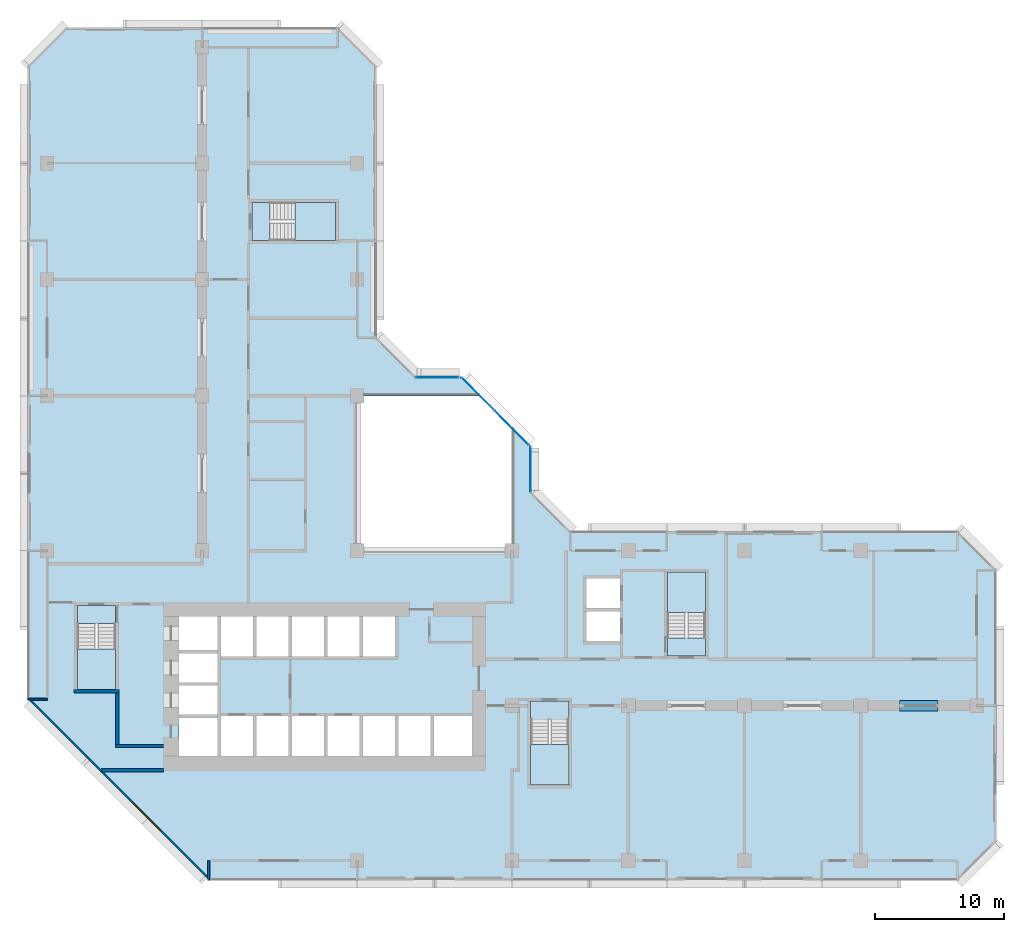
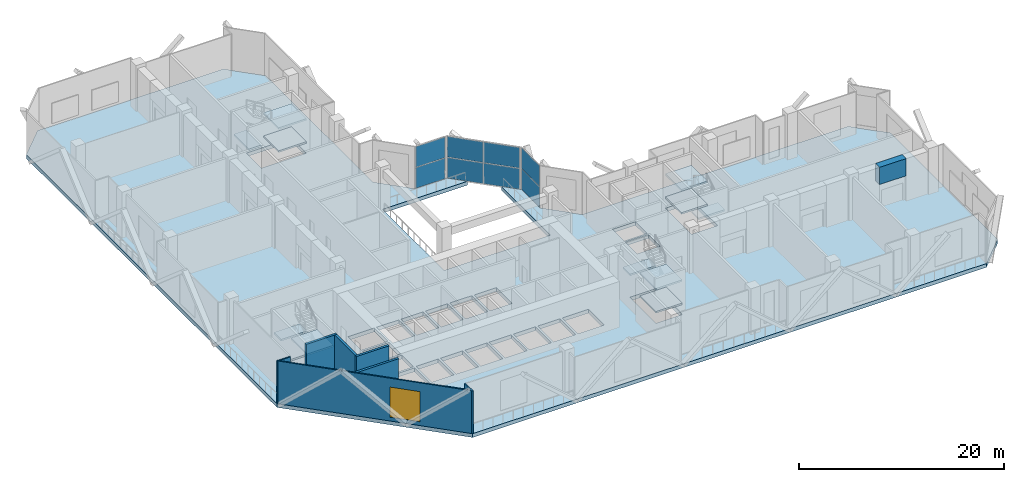
# One storey, part 5 of 14: 13 slabs, 8 plates, 7 walls, 1 beam, 1 window, 1 opening, 7 elements without a shape of their own.
"""IFC4 building model written with IfcOpenShell, lengths in metres."""

from ifc_helpers import new_model, si_unit, direction, frame, frame_2d, origin, origin_2d, place, context, subcontext, project, spatial, polyline, rectangle, outline, extrude, material, layer, layer_set, material_profile, profile_set, type_object, element, fill, aggregate, save


model = new_model("IFC4")

# Units and contexts
model_context = context("Model", 3, precision=1e-05, world=origin(), true_north=direction((0.0, 1.0)))
body_context = subcontext(model_context, "Body", "Model", "MODEL_VIEW")
ifc_project = project(units=[si_unit("LENGTHUNIT", "METRE"), si_unit("AREAUNIT", "SQUARE_METRE"), si_unit("VOLUMEUNIT", "CUBIC_METRE"), si_unit("PLANEANGLEUNIT", "RADIAN"), si_unit("MASSUNIT", "GRAM", prefix="KILO")], contexts=[model_context])

# Site, building, storey
site_placement = place(None, origin())
site = spatial("IfcSite", under=ifc_project, at=site_placement, CompositionType="ELEMENT")
building_placement = place(site_placement, origin())
building = spatial("IfcBuilding", under=site, at=building_placement, Name="Chenar Terraces", CompositionType="ELEMENT")
storey_placement = place(building_placement, frame((0.0, 0.0, 86.39990234375)))
storey = spatial("IfcBuildingStorey", under=building, at=storey_placement, Name="L19", CompositionType="ELEMENT", Elevation=86.39990234375)

# Beam
ifc_material_1 = material(Name="Concrete C70/85", Category="concrete")
ifc_material_profile = material_profile(ifc_material_1, rectangle(XDim=0.800048828125, YDim=2.050048828125, at=origin_2d()), Name="RC 800 x 2050")
ifc_profile_set = profile_set([ifc_material_profile], Name="Concrete C70/85")
beam_type = type_object("IfcBeamType", Name="Belt lintel beam 800 x 2050 Concrete C70/85", PredefinedType="BEAM", material=ifc_profile_set)
beam_placement = place(storey_placement, frame((66.0, 12.0, 4.0751953125), z_axis=(1.0, 0.0, 0.0), x_axis=(0.0, 1.0, 0.0)))
element("IfcBeam", 1, at=beam_placement, inside=storey, type_object=beam_type, Name="Belt lintel beam L19 A3", PredefinedType="BEAM", context=body_context, shape_type="SweptSolid", body=[
    extrude(rectangle(XDim=0.800048828125, YDim=2.050048828125, at=origin_2d()), origin(), (0.0, 0.0, 1.0), 3.0),
])

# Curtain wall, plates
ifc_material_2 = material(Name="Aluminium framed glazing", Category="aluminium")
ifc_layer_1 = layer(ifc_material_2, 0.14990234375)
ifc_layer_set_1 = layer_set([ifc_layer_1], Name="Aluminium framed glazing")
curtain_wall_type = type_object("IfcCurtainWallType", Name="Atrium curtain wall", PredefinedType="NOTDEFINED", material=ifc_layer_set_1)
placement_1 = place(storey_placement, origin())
curtain_wall_1 = element("IfcCurtainWall", 2, at=placement_1, inside=storey, type_object=curtain_wall_type, Name="Atrium curtain wall", PredefinedType="NOTDEFINED")
ifc_material_3 = material(Name="Low emissivity laminated glass, solar control coating", Category="glass")
ifc_layer_2 = layer(ifc_material_3, 0.028076171875)
ifc_layer_set_2 = layer_set([ifc_layer_2], Name="Low emissivity laminated glass, solar control coating")
plate_type = type_object("IfcPlateType", Name="Atrium glazing panel 28", PredefinedType="CURTAIN_PANEL", material=ifc_layer_set_2)
plate_1_placement = place(storey_placement, frame((37.425048828125, 30.300048828125, 0.06005859375), z_axis=(0.0, 0.0, 1.0), x_axis=(0.0, 1.0, 0.0)))
plate_1 = element("IfcPlate", 3, at=plate_1_placement, type_object=plate_type, Name="CW1-1 panel 1.1", PredefinedType="CURTAIN_PANEL", context=body_context, shape_type="SweptSolid", body=[
    extrude(rectangle(XDim=3.47998046875, YDim=0.028076171875, at=origin_2d()), origin(), (0.0, 0.0, 1.0), 2.4599609375),
])
plate_2_placement = place(storey_placement, frame((37.425048828125, 30.300048828125, 2.580078125), z_axis=(0.0, 0.0, 1.0), x_axis=(0.0, 1.0, 0.0)))
plate_2 = element("IfcPlate", 4, at=plate_2_placement, type_object=plate_type, Name="CW1-1 panel 1.2", PredefinedType="CURTAIN_PANEL", context=body_context, shape_type="SweptSolid", body=[
    extrude(rectangle(XDim=3.47998046875, YDim=0.028076171875, at=origin_2d()), origin(), (0.0, 0.0, 1.0), 2.4599609375),
])
aggregate(curtain_wall_1, [plate_1, plate_2])

curtain_wall_2 = element("IfcCurtainWall", 5, at=placement_1, inside=storey, type_object=curtain_wall_type, Name="Atrium curtain wall", PredefinedType="NOTDEFINED")
plate_3_placement = place(storey_placement, frame((35.980224609375, 33.513671875, 0.06005859375), z_axis=(0.0, 0.0, 1.0), x_axis=(-0.707106781187, 0.707106781187, 0.0)))
plate_3 = element("IfcPlate", 6, at=plate_3_placement, type_object=plate_type, Name="CW1-2 panel 1.1", PredefinedType="CURTAIN_PANEL", context=body_context, shape_type="SweptSolid", body=[
    extrude(rectangle(XDim=3.62841796875, YDim=0.028076171875, at=origin_2d()), origin(), (0.0, 0.0, 1.0), 2.4599609375),
])
plate_4_placement = place(storey_placement, frame((35.980224609375, 33.513671875, 2.580078125), z_axis=(0.0, 0.0, 1.0), x_axis=(-0.707106781187, 0.707106781187, 0.0)))
plate_4 = element("IfcPlate", 7, at=plate_4_placement, type_object=plate_type, Name="CW1-2 panel 1.2", PredefinedType="CURTAIN_PANEL", context=body_context, shape_type="SweptSolid", body=[
    extrude(rectangle(XDim=3.62841796875, YDim=0.028076171875, at=origin_2d()), origin(), (0.0, 0.0, 1.0), 2.4599609375),
])
plate_5_placement = place(storey_placement, frame((33.3720703125, 36.121826171875, 0.06005859375), z_axis=(0.0, 0.0, 1.0), x_axis=(-0.707106781187, 0.707106781187, 0.0)))
plate_5 = element("IfcPlate", 8, at=plate_5_placement, type_object=plate_type, Name="CW1-2 panel 2.1", PredefinedType="CURTAIN_PANEL", context=body_context, shape_type="SweptSolid", body=[
    extrude(rectangle(XDim=3.62841796875, YDim=0.028076171875, at=origin_2d()), origin(), (0.0, 0.0, 1.0), 2.4599609375),
])
plate_6_placement = place(storey_placement, frame((33.3720703125, 36.121826171875, 2.580078125), z_axis=(0.0, 0.0, 1.0), x_axis=(-0.707106781187, 0.707106781187, 0.0)))
plate_6 = element("IfcPlate", 9, at=plate_6_placement, type_object=plate_type, Name="CW1-2 panel 2.2", PredefinedType="CURTAIN_PANEL", context=body_context, shape_type="SweptSolid", body=[
    extrude(rectangle(XDim=3.62841796875, YDim=0.028076171875, at=origin_2d()), origin(), (0.0, 0.0, 1.0), 2.4599609375),
])
aggregate(curtain_wall_2, [plate_3, plate_4, plate_5, plate_6])

curtain_wall_3 = element("IfcCurtainWall", 10, at=placement_1, inside=storey, type_object=curtain_wall_type, Name="Atrium curtain wall", PredefinedType="NOTDEFINED")
plate_7_placement = place(storey_placement, frame((30.199951171875, 37.425048828125, 0.06005859375), z_axis=(0.0, 0.0, 1.0), x_axis=(-1.0, 0.0, 0.0)))
plate_7 = element("IfcPlate", 11, at=plate_7_placement, type_object=plate_type, Name="CW1-3 panel 1.1", PredefinedType="CURTAIN_PANEL", context=body_context, shape_type="SweptSolid", body=[
    extrude(rectangle(XDim=3.280029296875, YDim=0.028076171875, at=origin_2d()), origin(), (0.0, 0.0, 1.0), 2.4599609375),
])
plate_8_placement = place(storey_placement, frame((30.199951171875, 37.425048828125, 2.580078125), z_axis=(0.0, 0.0, 1.0), x_axis=(-1.0, 0.0, 0.0)))
plate_8 = element("IfcPlate", 12, at=plate_8_placement, type_object=plate_type, Name="CW1-3 panel 1.2", PredefinedType="CURTAIN_PANEL", context=body_context, shape_type="SweptSolid", body=[
    extrude(rectangle(XDim=3.280029296875, YDim=0.028076171875, at=origin_2d()), origin(), (0.0, 0.0, 1.0), 2.4599609375),
])
aggregate(curtain_wall_3, [plate_7, plate_8])

# Stair, slabs
ifc_material_4 = material(Name="Reinforced concrete C40/50", Category="concrete")
stair_type = type_object("IfcStairType", Name="Core stair 1400 half-turn", PredefinedType="HALF_TURN_STAIR", material=ifc_material_4)
stair_1 = element("IfcStair", 13, at=placement_1, inside=storey, type_object=stair_type, Name="L19 Stair 1", PredefinedType="HALF_TURN_STAIR")
ifc_material_5 = material(Name="Reinforced concrete C40/50", Category="concrete")
ifc_layer_3 = layer(ifc_material_5, 0.199951171875)
ifc_layer_set_3 = layer_set([ifc_layer_3], Name="Reinforced concrete C40/50")
slab_type_1 = type_object("IfcSlabType", Name="Core stair landing 200", PredefinedType="LANDING", material=ifc_layer_set_3)
placement_2 = place(storey_placement, frame((0.0, 0.0, 1.175048828125)))
slab_1 = element("IfcSlab", 14, at=placement_2, type_object=slab_type_1, Name="ST1 landing 1", PredefinedType="LANDING", context=body_context, shape_type="SweptSolid", body=[
    extrude(outline(polyline([(2.35009765625, 16.389892578125), (2.35009765625, 13.25), (5.300048828125, 13.25), (5.300048828125, 16.389892578125), (2.35009765625, 16.389892578125)])), origin(), (0.0, 0.0, 1.0), 0.199951171875),
])
placement_3 = place(storey_placement, frame((0.0, 0.0, 2.550048828125)))
slab_2 = element("IfcSlab", 15, at=placement_3, type_object=slab_type_1, Name="ST1 landing 2", PredefinedType="LANDING", context=body_context, shape_type="SweptSolid", body=[
    extrude(outline(polyline([(2.35009765625, 19.75), (2.35009765625, 18.35009765625), (5.300048828125, 18.35009765625), (5.300048828125, 19.75), (2.35009765625, 19.75)])), origin(), (0.0, 0.0, 1.0), 0.199951171875),
])
placement_4 = place(storey_placement, frame((0.0, 0.0, 3.925048828125)))
slab_3 = element("IfcSlab", 16, at=placement_4, type_object=slab_type_1, Name="ST1 landing 3", PredefinedType="LANDING", context=body_context, shape_type="SweptSolid", body=[
    extrude(outline(polyline([(2.35009765625, 16.389892578125), (2.35009765625, 13.25), (5.300048828125, 13.25), (5.300048828125, 16.389892578125), (2.35009765625, 16.389892578125)])), origin(), (0.0, 0.0, 1.0), 0.199951171875),
])
aggregate(stair_1, [slab_1, slab_2, slab_3])

stair_2 = element("IfcStair", 17, at=placement_1, inside=storey, type_object=stair_type, Name="L19 Stair 2", PredefinedType="HALF_TURN_STAIR")
slab_4 = element("IfcSlab", 18, at=placement_2, type_object=slab_type_1, Name="ST2 landing 1", PredefinedType="LANDING", context=body_context, shape_type="SweptSolid", body=[
    extrude(outline(polyline([(37.449951171875, 8.989990234375), (37.449951171875, 5.85009765625), (40.39990234375, 5.85009765625), (40.39990234375, 8.989990234375), (37.449951171875, 8.989990234375)])), origin(), (0.0, 0.0, 1.0), 0.199951171875),
])
slab_5 = element("IfcSlab", 19, at=placement_3, type_object=slab_type_1, Name="ST2 landing 2", PredefinedType="LANDING", context=body_context, shape_type="SweptSolid", body=[
    extrude(outline(polyline([(37.449951171875, 12.35009765625), (37.449951171875, 10.949951171875), (40.39990234375, 10.949951171875), (40.39990234375, 12.35009765625), (37.449951171875, 12.35009765625)])), origin(), (0.0, 0.0, 1.0), 0.199951171875),
])
slab_6 = element("IfcSlab", 20, at=placement_4, type_object=slab_type_1, Name="ST2 landing 3", PredefinedType="LANDING", context=body_context, shape_type="SweptSolid", body=[
    extrude(outline(polyline([(37.449951171875, 8.989990234375), (37.449951171875, 5.85009765625), (40.39990234375, 5.85009765625), (40.39990234375, 8.989990234375), (37.449951171875, 8.989990234375)])), origin(), (0.0, 0.0, 1.0), 0.199951171875),
])
aggregate(stair_2, [slab_4, slab_5, slab_6])

stair_3 = element("IfcStair", 21, at=placement_1, inside=storey, type_object=stair_type, Name="L19 Stair 3", PredefinedType="HALF_TURN_STAIR")
slab_7 = element("IfcSlab", 22, at=placement_2, type_object=slab_type_1, Name="ST3 landing 1", PredefinedType="LANDING", context=body_context, shape_type="SweptSolid", body=[
    extrude(outline(polyline([(50.97509765625, 19.2099609375), (50.97509765625, 22.35009765625), (48.02490234375, 22.35009765625), (48.02490234375, 19.2099609375), (50.97509765625, 19.2099609375)])), origin(), (0.0, 0.0, 1.0), 0.199951171875),
])
slab_8 = element("IfcSlab", 23, at=placement_3, type_object=slab_type_1, Name="ST3 landing 2", PredefinedType="LANDING", context=body_context, shape_type="SweptSolid", body=[
    extrude(outline(polyline([(50.97509765625, 15.85009765625), (50.97509765625, 17.25), (48.02490234375, 17.25), (48.02490234375, 15.85009765625), (50.97509765625, 15.85009765625)])), origin(), (0.0, 0.0, 1.0), 0.199951171875),
])
slab_9 = element("IfcSlab", 24, at=placement_4, type_object=slab_type_1, Name="ST3 landing 3", PredefinedType="LANDING", context=body_context, shape_type="SweptSolid", body=[
    extrude(outline(polyline([(50.97509765625, 19.2099609375), (50.97509765625, 22.35009765625), (48.02490234375, 22.35009765625), (48.02490234375, 19.2099609375), (50.97509765625, 19.2099609375)])), origin(), (0.0, 0.0, 1.0), 0.199951171875),
])
aggregate(stair_3, [slab_7, slab_8, slab_9])

stair_4 = element("IfcStair", 25, at=placement_1, inside=storey, type_object=stair_type, Name="L19 Stair 4", PredefinedType="HALF_TURN_STAIR")
slab_10 = element("IfcSlab", 26, at=placement_2, type_object=slab_type_1, Name="ST4 landing 1", PredefinedType="LANDING", context=body_context, shape_type="SweptSolid", body=[
    extrude(outline(polyline([(19.2099609375, 48.02490234375), (22.35009765625, 48.02490234375), (22.35009765625, 50.97509765625), (19.2099609375, 50.97509765625), (19.2099609375, 48.02490234375)])), origin(), (0.0, 0.0, 1.0), 0.199951171875),
])
slab_11 = element("IfcSlab", 27, at=placement_3, type_object=slab_type_1, Name="ST4 landing 2", PredefinedType="LANDING", context=body_context, shape_type="SweptSolid", body=[
    extrude(outline(polyline([(15.85009765625, 48.02490234375), (17.25, 48.02490234375), (17.25, 50.97509765625), (15.85009765625, 50.97509765625), (15.85009765625, 48.02490234375)])), origin(), (0.0, 0.0, 1.0), 0.199951171875),
])
slab_12 = element("IfcSlab", 28, at=placement_4, type_object=slab_type_1, Name="ST4 landing 3", PredefinedType="LANDING", context=body_context, shape_type="SweptSolid", body=[
    extrude(outline(polyline([(19.2099609375, 48.02490234375), (22.35009765625, 48.02490234375), (22.35009765625, 50.97509765625), (19.2099609375, 50.97509765625), (19.2099609375, 48.02490234375)])), origin(), (0.0, 0.0, 1.0), 0.199951171875),
])
aggregate(stair_4, [slab_10, slab_11, slab_12])

# Slab
ifc_material_6 = material(Name="Concrete C40/50", Category="concrete")
ifc_layer_4 = layer(ifc_material_6, 0.449951171875)
ifc_layer_set_4 = layer_set([ifc_layer_4], Name="Concrete C40/50")
slab_type_2 = type_object("IfcSlabType", Name="Floor slab 450 Concrete C40/50", PredefinedType="FLOOR", material=ifc_layer_set_4)
slab_13_placement = place(storey_placement, frame((0.0, 0.0, -0.449951171875)))
element("IfcSlab", 29, at=slab_13_placement, inside=storey, type_object=slab_type_2, Name="Floor slab L19", PredefinedType="FLOOR", context=body_context, shape_type="SweptSolid", body=[
    extrude(outline(polyline([(73.5, 22.5), (73.5, 1.5), (70.5, -1.5), (12.5, -1.5), (-1.5, 12.5), (-1.5, 61.5), (1.5, 64.5), (22.5, 64.5), (25.5, 61.5), (25.5, 40.5), (28.5, 37.5), (32.10009765625, 37.5), (33.60009765625, 36.0), (24.0, 36.0), (24.0, 24.0), (36.0, 24.0), (36.0, 33.60009765625), (37.5, 32.10009765625), (37.5, 28.5), (40.5, 25.5), (70.5, 25.5), (73.5, 22.5)]), holes=[polyline([(13.199951171875, 11.050048828125), (10.199951171875, 11.050048828125), (10.199951171875, 8.10009765625), (13.199951171875, 8.10009765625), (13.199951171875, 11.050048828125)]), polyline([(15.949951171875, 11.199951171875), (13.449951171875, 11.199951171875), (13.449951171875, 8.10009765625), (15.949951171875, 8.10009765625), (15.949951171875, 11.199951171875)]), polyline([(18.699951171875, 11.199951171875), (16.199951171875, 11.199951171875), (16.199951171875, 8.10009765625), (18.699951171875, 8.10009765625), (18.699951171875, 11.199951171875)]), polyline([(21.449951171875, 8.10009765625), (21.449951171875, 11.199951171875), (18.949951171875, 11.199951171875), (18.949951171875, 8.10009765625), (21.449951171875, 8.10009765625)]), polyline([(13.199951171875, 11.300048828125), (13.199951171875, 13.550048828125), (10.199951171875, 13.550048828125), (10.199951171875, 11.300048828125), (13.199951171875, 11.300048828125)]), polyline([(13.199951171875, 16.050048828125), (10.199951171875, 16.050048828125), (10.199951171875, 13.800048828125), (13.199951171875, 13.800048828125), (13.199951171875, 16.050048828125)]), polyline([(2.35009765625, 18.35009765625), (2.35009765625, 13.25), (5.300048828125, 13.25), (5.300048828125, 18.35009765625), (2.35009765625, 18.35009765625)]), polyline([(15.949951171875, 15.800048828125), (15.949951171875, 18.89990234375), (13.449951171875, 18.89990234375), (13.449951171875, 15.800048828125), (15.949951171875, 15.800048828125)]), polyline([(18.699951171875, 18.89990234375), (16.199951171875, 18.89990234375), (16.199951171875, 15.800048828125), (18.699951171875, 15.800048828125), (18.699951171875, 18.89990234375)]), polyline([(21.449951171875, 15.800048828125), (21.449951171875, 18.89990234375), (18.949951171875, 18.89990234375), (18.949951171875, 15.800048828125), (21.449951171875, 15.800048828125)]), polyline([(13.199951171875, 16.300048828125), (13.199951171875, 18.89990234375), (10.199951171875, 18.89990234375), (10.199951171875, 16.300048828125), (13.199951171875, 16.300048828125)]), polyline([(22.35009765625, 48.02490234375), (22.35009765625, 50.97509765625), (17.25, 50.97509765625), (17.25, 48.02490234375), (22.35009765625, 48.02490234375)]), polyline([(37.449951171875, 10.949951171875), (37.449951171875, 5.85009765625), (40.39990234375, 5.85009765625), (40.39990234375, 10.949951171875), (37.449951171875, 10.949951171875)]), polyline([(24.199951171875, 8.10009765625), (24.199951171875, 11.199951171875), (21.699951171875, 11.199951171875), (21.699951171875, 8.10009765625), (24.199951171875, 8.10009765625)]), polyline([(26.949951171875, 11.199951171875), (24.449951171875, 11.199951171875), (24.449951171875, 8.10009765625), (26.949951171875, 8.10009765625), (26.949951171875, 11.199951171875)]), polyline([(29.699951171875, 8.10009765625), (29.699951171875, 11.199951171875), (27.199951171875, 11.199951171875), (27.199951171875, 8.10009765625), (29.699951171875, 8.10009765625)]), polyline([(32.89990234375, 8.10009765625), (32.89990234375, 11.199951171875), (29.949951171875, 11.199951171875), (29.949951171875, 8.10009765625), (32.89990234375, 8.10009765625)]), polyline([(24.199951171875, 18.89990234375), (21.699951171875, 18.89990234375), (21.699951171875, 15.800048828125), (24.199951171875, 15.800048828125), (24.199951171875, 18.89990234375)]), polyline([(26.949951171875, 15.800048828125), (26.949951171875, 18.89990234375), (24.449951171875, 18.89990234375), (24.449951171875, 15.800048828125), (26.949951171875, 15.800048828125)]), polyline([(44.35009765625, 17.0), (44.35009765625, 19.300048828125), (41.75, 19.300048828125), (41.75, 17.0), (44.35009765625, 17.0)]), polyline([(50.97509765625, 22.35009765625), (48.02490234375, 22.35009765625), (48.02490234375, 17.25), (50.97509765625, 17.25), (50.97509765625, 22.35009765625)]), polyline([(44.35009765625, 19.550048828125), (44.35009765625, 21.85009765625), (41.75, 21.85009765625), (41.75, 19.550048828125), (44.35009765625, 19.550048828125)])]), origin(), (0.0, 0.0, 1.0), 0.449951171875),
])

# Walls
ifc_material_7 = material(Name="Concrete C70/85", Category="concrete")
ifc_layer_5 = layer(ifc_material_7, 0.25)
ifc_layer_set_5 = layer_set([ifc_layer_5], Name="Concrete C70/85")
wall_type_1 = type_object("IfcWallType", Name="Core wall 250 Concrete C70/85", PredefinedType="SHEAR", material=ifc_layer_set_5)
wall_1_placement = place(storey_placement, frame((2.10009765625, 13.125, 0.0), z_axis=(0.0, 0.0, 1.0), x_axis=(1.0, 0.0, 0.0)))
element("IfcWall", 30, at=wall_1_placement, inside=storey, type_object=wall_type_1, Name="Core wall ST1_S L19", PredefinedType="SHEAR", context=body_context, shape_type="SweptSolid", body=[
    extrude(rectangle(XDim=3.449951171875, YDim=0.25, at=frame_2d((1.72509765625, 0.0))), origin(), (0.0, 0.0, 1.0), 5.5),
])
wall_2_placement = place(storey_placement, frame((5.300048828125, 8.875, 0.0), z_axis=(0.0, 0.0, 1.0), x_axis=(1.0, 0.0, 0.0)))
element("IfcWall", 31, at=wall_2_placement, inside=storey, type_object=wall_type_1, Name="Core wall FFL_S L19", PredefinedType="SHEAR", context=body_context, shape_type="SweptSolid", body=[
    extrude(rectangle(XDim=3.699951171875, YDim=0.25, at=frame_2d((1.85009765625, 0.0))), origin(), (0.0, 0.0, 1.0), 5.5),
])
wall_3_placement = place(storey_placement, frame((5.425048828125, 9.0, 0.0), z_axis=(0.0, 0.0, 1.0), x_axis=(0.0, 1.0, 0.0)))
element("IfcWall", 32, at=wall_3_placement, inside=storey, type_object=wall_type_1, Name="Core wall FFL_W L19", PredefinedType="SHEAR", context=body_context, shape_type="SweptSolid", body=[
    extrude(rectangle(XDim=4.0, YDim=0.25, at=frame_2d((2.0, 0.0))), origin(), (0.0, 0.0, 1.0), 5.5),
])
ifc_material_8 = material(Name="Terracotta cladding on insulated backing", Category="masonry")
ifc_layer_6 = layer(ifc_material_8, 0.14990234375)
ifc_layer_set_6 = layer_set([ifc_layer_6], Name="Terracotta cladding on insulated backing")
wall_type_2 = type_object("IfcWallType", Name="Loggia return wall 150", PredefinedType="SOLIDWALL", material=ifc_layer_set_6)
for number, where, z_axis, x_axis, name in (
    (33, (-1.5, 12.5, 0.0), (0.0, 0.0, 1.0), (1.0, 0.0, 0.0), "Loggia return wall"),
    (34, (12.5, -1.5, 0.0), (0.0, 0.0, 1.0), (0.0, 1.0, 0.0), "Loggia return wall"),
):
    element("IfcWall", number, at=place(storey_placement, frame(where, z_axis=z_axis, x_axis=x_axis)), inside=storey, type_object=wall_type_2, Name=name, PredefinedType="SOLIDWALL", context=body_context, shape_type="SweptSolid", body=[
        extrude(rectangle(XDim=1.5, YDim=0.14990234375, at=frame_2d((0.75, 0.0))), origin(), (0.0, 0.0, 1.0), 5.10009765625),
    ])
ifc_material_9 = material(Name="Fire-board and steel stud wall with mineral wool", Category="steel")
ifc_layer_7 = layer(ifc_material_9, 0.25)
ifc_layer_set_7 = layer_set([ifc_layer_7], Name="Fire-board and steel stud wall with mineral wool")
wall_type_3 = type_object("IfcWallType", Name="Refuge compartment wall 250", PredefinedType="PARTITIONING", material=ifc_layer_set_7)
wall_4_placement = place(storey_placement, frame((4.2109375, 7.0, 0.0), z_axis=(0.0, 0.0, 1.0), x_axis=(1.0, 0.0, 0.0)))
element("IfcWall", 35, at=wall_4_placement, inside=storey, type_object=wall_type_3, Name="Partition L19-006", PredefinedType="PARTITIONING", context=body_context, shape_type="SweptSolid", body=[
    extrude(rectangle(XDim=4.7890625, YDim=0.25, at=frame_2d((2.39453125, 0.0))), origin(), (0.0, 0.0, 1.0), 5.10009765625),
])

# Wall, opening, window
ifc_material_10 = material(Name="Terracotta cladding on insulated backing", Category="masonry")
ifc_layer_8 = layer(ifc_material_10, 0.14990234375)
ifc_layer_set_8 = layer_set([ifc_layer_8], Name="Terracotta cladding on insulated backing")
wall_type_4 = type_object("IfcWallType", Name="Terracotta rainscreen wall 150", PredefinedType="SOLIDWALL", material=ifc_layer_set_8)
wall_5_placement = place(storey_placement, frame((-1.447021484375, 12.552978515625, 0.0), z_axis=(0.0, 0.0, 1.0), x_axis=(0.707106781187, -0.707106781187, 0.0)))
wall_5 = element("IfcWall", 36, at=wall_5_placement, inside=storey, type_object=wall_type_4, Name="Terracotta rainscreen wall", PredefinedType="SOLIDWALL", context=body_context, shape_type="SweptSolid", body=[
    extrude(rectangle(XDim=19.799072265625, YDim=0.14990234375, at=frame_2d((9.8994140625, 0.0))), origin(), (0.0, 0.0, 1.0), 5.10009765625),
])
opening_placement = place(wall_5_placement, frame((11.452880859375, 0.0, 0.449951171875)))
opening = element("IfcOpeningElement", 37, at=opening_placement, cuts=wall_5, Name="Opening W300x360", PredefinedType="OPENING", context=body_context, shape_type="SweptSolid", body=[
    extrude(rectangle(XDim=3.0, YDim=3.60009765625, at=frame_2d((1.5, 1.800048828125))), frame((0.0, 0.0849609375, 0.0), z_axis=(0.0, -1.0, 0.0), x_axis=(1.0, 0.0, 0.0)), (0.0, 0.0, 1.0), 0.169921875),
])
ifc_material_11 = material(Name="Low emissivity double glazing, aluminium frame", Category="aluminium")
window_type = type_object("IfcWindowType", Name="Fixed light 3000 x 3600", PartitioningType="SINGLE_PANEL", PredefinedType="WINDOW", material=ifc_material_11)
window_placement = place(opening_placement, origin())
window = element("IfcWindow", 38, at=window_placement, inside=storey, type_object=window_type, Name="Window", OverallHeight=3.60009765625, OverallWidth=3.0, PartitioningType="SINGLE_PANEL", PredefinedType="WINDOW", context=body_context, shape_type="SweptSolid", body=[
    extrude(rectangle(XDim=3.0, YDim=3.60009765625, at=frame_2d((1.5, 1.800048828125))), frame((0.0, 0.030029296875, 0.0), z_axis=(0.0, -1.0, 0.0), x_axis=(1.0, 0.0, 0.0)), (0.0, 0.0, 1.0), 0.06005859375),
])
fill(opening, window)

save(model, "model.ifc")
